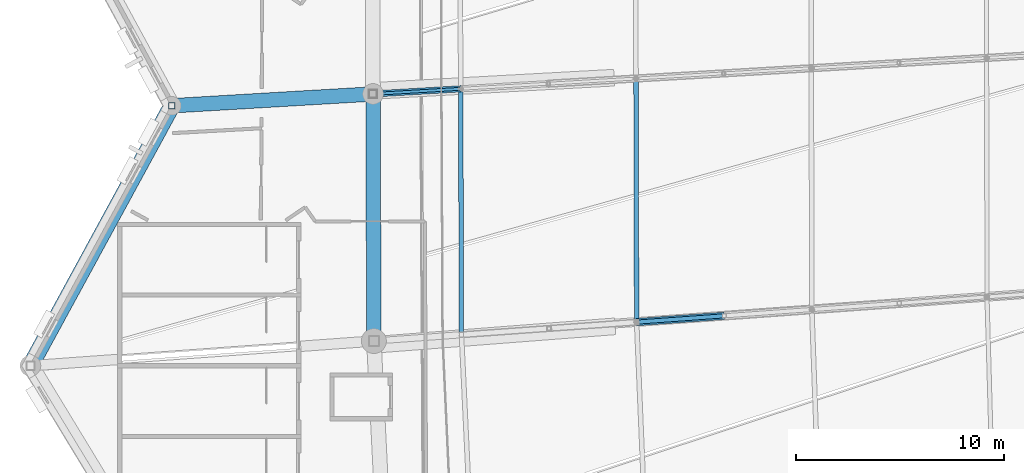
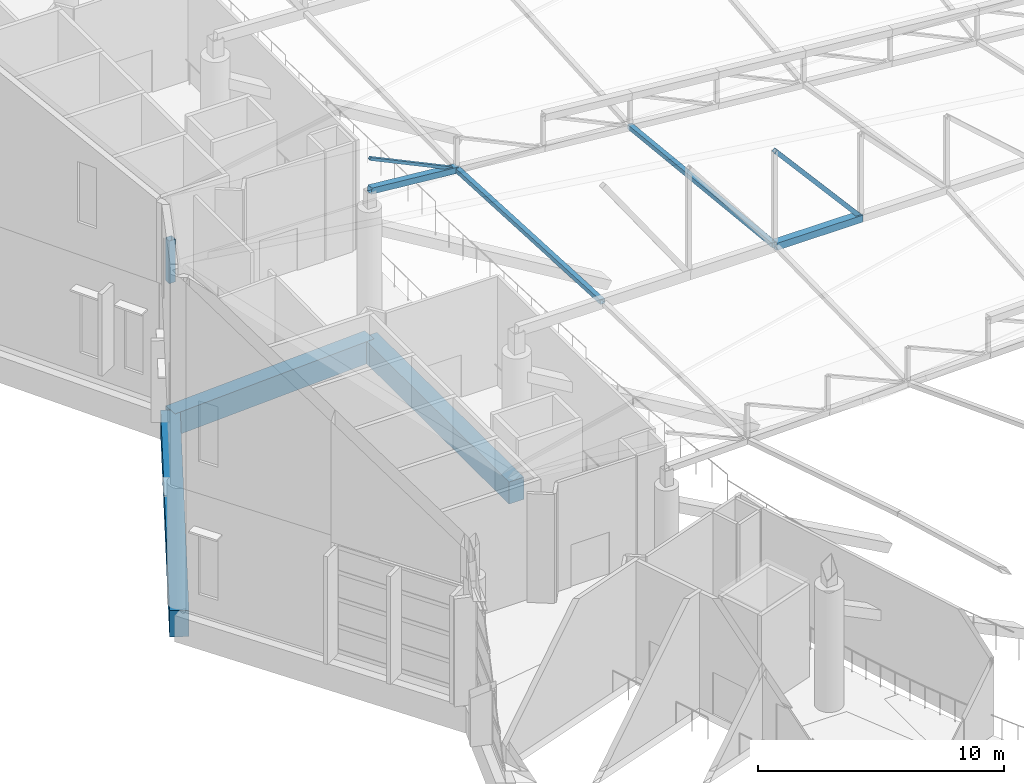
# One storey, part 49 of 344: 7 members, 3 beams.
"""IFC4 building model written with IfcOpenShell, lengths in metres."""

from ifc_helpers import new_model, si_unit, direction, frame, origin, origin_2d, place, context, subcontext, project, spatial, rectangle, hollow_rectangle, extrude, material, material_profile, profile_set, type_object, element, save


model = new_model("IFC4")

# Units and contexts
model_context = context("Model", 3, precision=1e-05, world=origin(), true_north=direction((0.0, 1.0)))
body_context = subcontext(model_context, "Body", "Model", "MODEL_VIEW")
ifc_project = project(units=[si_unit("LENGTHUNIT", "METRE"), si_unit("AREAUNIT", "SQUARE_METRE"), si_unit("VOLUMEUNIT", "CUBIC_METRE"), si_unit("PLANEANGLEUNIT", "RADIAN"), si_unit("MASSUNIT", "GRAM", prefix="KILO")], contexts=[model_context])

# Site, building, storey
site_placement = place(None, origin())
site = spatial("IfcSite", under=ifc_project, at=site_placement, CompositionType="ELEMENT")
building_placement = place(site_placement, origin())
building = spatial("IfcBuilding", under=site, at=building_placement, Name="Meseta Stadium", CompositionType="ELEMENT")
storey_placement = place(building_placement, frame((0.0, 0.0, 24.0)))
storey = spatial("IfcBuildingStorey", under=building, at=storey_placement, Name="L04", CompositionType="ELEMENT", Elevation=24.0)

# Beams
ifc_material_1 = material(Name="Concrete C40/50", Category="concrete")
ifc_material_profile_1 = material_profile(ifc_material_1, rectangle(XDim=0.699951171875, YDim=1.10009765625, at=origin_2d()), Name="RC 700x1100")
ifc_profile_set_1 = profile_set([ifc_material_profile_1], Name="Concrete C40/50")
beam_type_1 = type_object("IfcBeamType", Name="RC beam 700x1100", PredefinedType="BEAM", material=ifc_profile_set_1)
beam_1_placement = place(storey_placement, frame((-84.92529296875, -30.681640625, -0.949951171875), z_axis=(0.003473057557, -0.999993968917, 0.0), x_axis=(0.999993968917, 0.003473057557, 0.0)))
element("IfcBeam", 1, at=beam_1_placement, inside=storey, type_object=beam_type_1, Name="L04 ring beam frame 35 line P", PredefinedType="BEAM", context=body_context, shape_type="SweptSolid", body=[
    extrude(rectangle(XDim=0.699951171875, YDim=1.10009765625, at=origin_2d()), origin(), (0.0, 0.0, 1.0), 11.8798828125),
])
beam_2_placement = place(storey_placement, frame((-84.92529296875, -30.681640625, -0.949951171875), z_axis=(-0.998278887273, -0.058645231896, 0.0), x_axis=(0.058645231896, -0.998278887273, 0.0)))
element("IfcBeam", 2, at=beam_2_placement, inside=storey, type_object=beam_type_1, Name="L04 radial beam frame 35 line P to R", PredefinedType="BEAM", context=body_context, shape_type="SweptSolid", body=[
    extrude(rectangle(XDim=0.699951171875, YDim=1.10009765625, at=origin_2d()), origin(), (0.0, 0.0, 1.0), 9.69140625),
])
ifc_material_2 = material(Name="Concrete C40/50", Category="concrete")
ifc_material_profile_2 = material_profile(ifc_material_2, rectangle(XDim=0.800048828125, YDim=1.300048828125, at=origin_2d()), Name="RC 800x1300")
ifc_profile_set_2 = profile_set([ifc_material_profile_2], Name="Concrete C40/50")
beam_type_2 = type_object("IfcBeamType", Name="RC beam 800x1300", PredefinedType="BEAM", material=ifc_profile_set_2)
beam_3_placement = place(storey_placement, frame((-94.60009765625, -31.25, -1.050048828125), z_axis=(-0.47785649891, -0.878437912689, 0.0), x_axis=(0.878437912689, -0.47785649891, 0.0)))
element("IfcBeam", 3, at=beam_3_placement, inside=storey, type_object=beam_type_2, Name="L04 ring beam frame 35 line R", PredefinedType="BEAM", context=body_context, shape_type="SweptSolid", body=[
    extrude(rectangle(XDim=0.800048828125, YDim=1.300048828125, at=origin_2d()), origin(), (0.0, 0.0, 1.0), 14.229736328125),
])

# Members
ifc_material_3 = material(Name="Steel S355", Category="steel")
ifc_material_profile_3 = material_profile(ifc_material_3, hollow_rectangle(XDim=0.139892578125, YDim=0.139892578125, WallThickness=0.0048828125, at=origin_2d()), Name="SHS 140x140x5")
ifc_profile_set_3 = profile_set([ifc_material_profile_3], Name="Steel S355")
member_type_1 = type_object("IfcMemberType", Name="SHS 140x140x5 diagonal", PredefinedType="BRACE", material=ifc_profile_set_3)
member_1_placement = place(storey_placement, frame((-80.71044921875, -30.43408203125, 6.22705078125), z_axis=(-0.891499988097, -0.052362198096, 0.449984412435), x_axis=(0.05863388944, -0.998279553537, 0.0)))
element("IfcMember", 4, at=member_1_placement, inside=storey, type_object=member_type_1, Name="ROOF TRUSS RT-35 diagonal", PredefinedType="BRACE", context=body_context, shape_type="SweptSolid", body=[
    extrude(hollow_rectangle(XDim=0.139892578125, YDim=0.139892578125, WallThickness=0.0048828125, at=origin_2d()), origin(), (0.0, 0.0, 1.0), 4.727783203125),
])
ifc_material_4 = material(Name="Steel S355", Category="steel")
ifc_material_profile_4 = material_profile(ifc_material_4, hollow_rectangle(XDim=0.199951171875, YDim=0.199951171875, WallThickness=0.008056640625, at=origin_2d()), Name="SHS 200x200x8")
ifc_profile_set_4 = profile_set([ifc_material_profile_4], Name="Steel S355")
member_type_2 = type_object("IfcMemberType", Name="SHS 200x200x8 diagonal", PredefinedType="BRACE", material=ifc_profile_set_4)
member_2_placement = place(storey_placement, frame((-68.038818359375, -41.349365234375, 6.016845703125), z_axis=(-0.647962157114, -0.046618414805, 0.760244543781), x_axis=(0.071760713601, -0.997421876632, 0.0)))
element("IfcMember", 5, at=member_2_placement, inside=storey, type_object=member_type_2, Name="ROOF TRUSS RT-36 diagonal", PredefinedType="BRACE", context=body_context, shape_type="SweptSolid", body=[
    extrude(hollow_rectangle(XDim=0.199951171875, YDim=0.199951171875, WallThickness=0.008056640625, at=origin_2d()), origin(), (0.0, 0.0, 1.0), 6.4990234375),
])
ifc_material_5 = material(Name="Steel S355", Category="steel")
ifc_material_profile_5 = material_profile(ifc_material_5, hollow_rectangle(XDim=0.219970703125, YDim=0.219970703125, WallThickness=0.008056640625, at=origin_2d()), Name="SHS 220x220x8")
ifc_profile_set_5 = profile_set([ifc_material_profile_5], Name="Steel S355")
member_type_3 = type_object("IfcMemberType", Name="SHS 220x220x8 strut", PredefinedType="STRUT", material=ifc_profile_set_5)
member_3_placement = place(storey_placement, frame((-72.280517578125, -29.93896484375, 5.08154296875), z_axis=(0.002592071062, -0.994899083224, 0.100841932588), x_axis=(0.999996606065, 0.002605351948, 0.0)))
element("IfcMember", 6, at=member_3_placement, inside=storey, type_object=member_type_3, Name="ROOF TRUSS STRUT RT-35/36", PredefinedType="STRUT", context=body_context, shape_type="SweptSolid", body=[
    extrude(hollow_rectangle(XDim=0.219970703125, YDim=0.219970703125, WallThickness=0.008056640625, at=origin_2d()), origin(), (0.0, 0.0, 1.0), 11.7734375),
])
member_4_placement = place(storey_placement, frame((-80.71044921875, -30.43408203125, 6.22705078125), z_axis=(0.003196872858, -0.998929955642, 0.046138094084), x_axis=(0.999994879088, 0.00320028093, 0.0)))
element("IfcMember", 7, at=member_4_placement, inside=storey, type_object=member_type_3, Name="ROOF TRUSS STRUT RT-35/36", PredefinedType="STRUT", context=body_context, shape_type="SweptSolid", body=[
    extrude(hollow_rectangle(XDim=0.219970703125, YDim=0.219970703125, WallThickness=0.008056640625, at=origin_2d()), origin(), (0.0, 0.0, 1.0), 11.837158203125),
])
ifc_material_6 = material(Name="Steel S355", Category="steel")
ifc_material_profile_6 = material_profile(ifc_material_6, hollow_rectangle(XDim=0.300048828125, YDim=0.300048828125, WallThickness=0.010009765625, at=origin_2d()), Name="SHS 300x300x10")
ifc_profile_set_6 = profile_set([ifc_material_profile_6], Name="Steel S355")
member_type_4 = type_object("IfcMemberType", Name="SHS 300x300x10 bottom chord", PredefinedType="CHORD", material=ifc_profile_set_6)
member_5_placement = place(storey_placement, frame((-80.71044921875, -30.43408203125, 6.22705078125), z_axis=(-0.989211361344, -0.058101269718, 0.134480946772), x_axis=(0.05863388944, -0.998279553537, 0.0)))
element("IfcMember", 8, at=member_5_placement, inside=storey, type_object=member_type_4, Name="ROOF TRUSS RT-35 bottom chord", PredefinedType="CHORD", context=body_context, shape_type="SweptSolid", body=[
    extrude(hollow_rectangle(XDim=0.300048828125, YDim=0.300048828125, WallThickness=0.010009765625, at=origin_2d()), origin(), (0.0, 0.0, 1.0), 4.2607421875),
])
ifc_material_7 = material(Name="Steel S355", Category="steel")
ifc_material_profile_7 = material_profile(ifc_material_7, hollow_rectangle(XDim=0.300048828125, YDim=0.300048828125, WallThickness=0.010009765625, at=origin_2d()), Name="SHS 300x300x10")
ifc_profile_set_7 = profile_set([ifc_material_profile_7], Name="Steel S355")
member_type_5 = type_object("IfcMemberType", Name="SHS 300x300x10 rim post", PredefinedType="POST", material=ifc_profile_set_7)
member_6_placement = place(storey_placement, frame((-94.60009765625, -31.25, 6.0), z_axis=(0.0, 0.0, 1.0), x_axis=(1.0, 0.0, 0.0)))
element("IfcMember", 9, at=member_6_placement, inside=storey, type_object=member_type_5, Name="ROOF RIM POST RT-35", PredefinedType="POST", context=body_context, shape_type="SweptSolid", body=[
    extrude(hollow_rectangle(XDim=0.300048828125, YDim=0.300048828125, WallThickness=0.010009765625, at=origin_2d()), origin(), (0.0, 0.0, 1.0), 2.114990234375),
])
ifc_material_8 = material(Name="Steel S355", Category="steel")
ifc_material_profile_8 = material_profile(ifc_material_8, hollow_rectangle(XDim=0.35009765625, YDim=0.35009765625, WallThickness=0.01416015625, at=origin_2d()), Name="SHS 350x350x14.2")
ifc_profile_set_8 = profile_set([ifc_material_profile_8], Name="Steel S355")
member_type_6 = type_object("IfcMemberType", Name="SHS 350x350x14.2 bottom chord", PredefinedType="CHORD", material=ifc_profile_set_8)
member_7_placement = place(storey_placement, frame((-68.038818359375, -41.349365234375, 6.016845703125), z_axis=(-0.995650625366, -0.071633278803, 0.059569334186), x_axis=(0.071760713601, -0.997421876632, 0.0)))
element("IfcMember", 10, at=member_7_placement, inside=storey, type_object=member_type_6, Name="ROOF TRUSS RT-36 bottom chord", PredefinedType="CHORD", context=body_context, shape_type="SweptSolid", body=[
    extrude(hollow_rectangle(XDim=0.35009765625, YDim=0.35009765625, WallThickness=0.01416015625, at=origin_2d()), origin(), (0.0, 0.0, 1.0), 4.2294921875),
])

save(model, "model.ifc")
